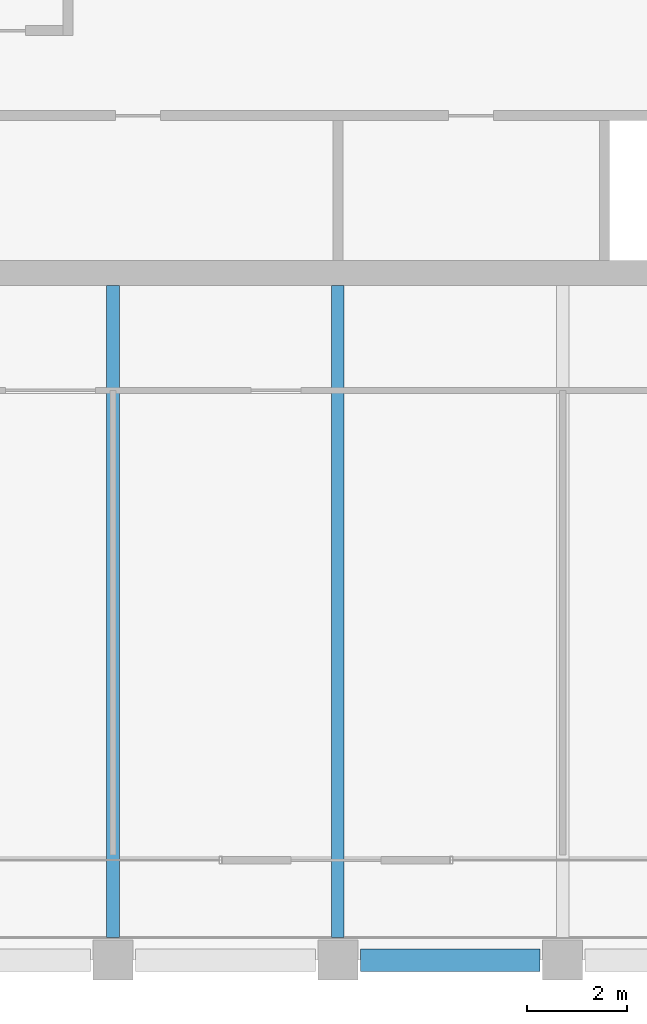
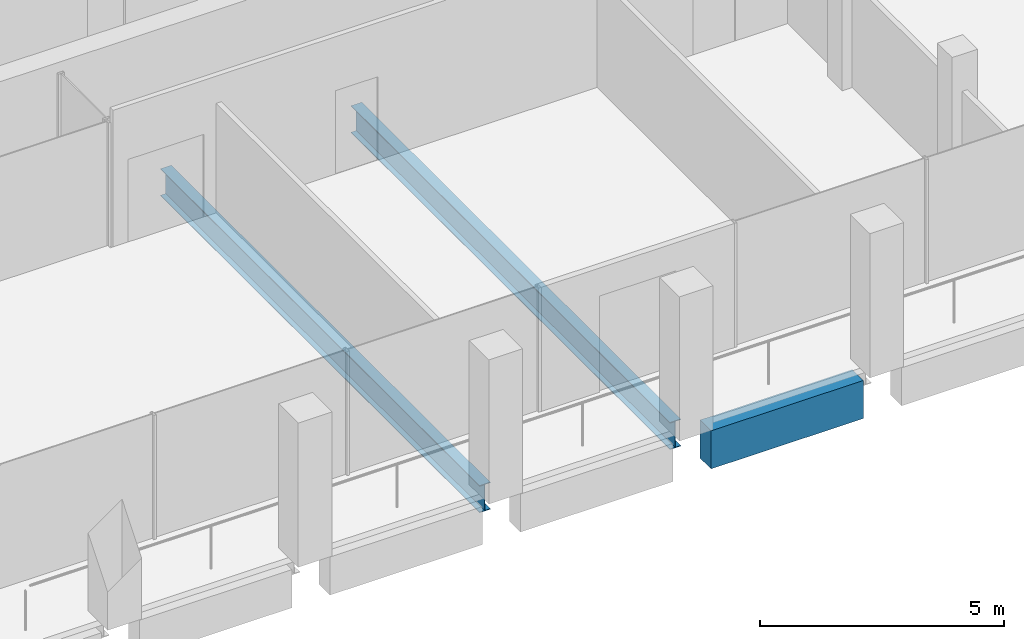
# One storey, part 8 of 40: 3 beams.
"""IFC4 building model written with IfcOpenShell, lengths in metres."""

from ifc_helpers import new_model, si_unit, direction, frame, origin, origin_2d, place, context, subcontext, project, spatial, rectangle, i_section, extrude, material, material_profile, profile_set, type_object, element, save


model = new_model("IFC4")

# Units and contexts
model_context = context("Model", 3, precision=1e-05, world=origin(), true_north=direction((0.0, 1.0)))
body_context = subcontext(model_context, "Body", "Model", "MODEL_VIEW")
ifc_project = project(units=[si_unit("LENGTHUNIT", "METRE"), si_unit("AREAUNIT", "SQUARE_METRE"), si_unit("VOLUMEUNIT", "CUBIC_METRE"), si_unit("PLANEANGLEUNIT", "RADIAN"), si_unit("MASSUNIT", "GRAM", prefix="KILO")], contexts=[model_context])

# Site, building, storey
site_placement = place(None, origin())
site = spatial("IfcSite", under=ifc_project, at=site_placement, CompositionType="ELEMENT")
building_placement = place(site_placement, origin())
building = spatial("IfcBuilding", under=site, at=building_placement, Name="Altepetl Exchange Towers", CompositionType="ELEMENT")
storey_placement = place(building_placement, frame((0.0, 0.0, 195.60009765625)))
storey = spatial("IfcBuildingStorey", under=building, at=storey_placement, Name="L49", CompositionType="ELEMENT", Elevation=195.60009765625)

# Beams
ifc_material_1 = material(Name="Steel S355", Category="steel")
ifc_material_profile_1 = material_profile(ifc_material_1, i_section(OverallWidth=0.2529296875, OverallDepth=0.677978515625, WebThickness=0.01171875, FlangeThickness=0.016357421875, at=origin_2d()), Name="W27X84")
ifc_profile_set_1 = profile_set([ifc_material_profile_1], Name="Steel S355")
beam_type_1 = type_object("IfcBeamType", Name="Floor beam W27X84", PredefinedType="BEAM", material=ifc_profile_set_1)
for number, where, z_axis, x_axis, name in (
    (1, (45.0, 27.449951171875, -0.489013671875), (0.0, 1.0, 0.0), (-1.0, 0.0, 0.0), "bm:A:L49:015"),
    (2, (49.5, 27.449951171875, -0.489013671875), (0.0, 1.0, 0.0), (-1.0, 0.0, 0.0), "bm:A:L49:016"),
):
    element("IfcBeam", number, at=place(storey_placement, frame(where, z_axis=z_axis, x_axis=x_axis)), inside=storey, type_object=beam_type_1, Name=name, PredefinedType="BEAM", context=body_context, shape_type="SweptSolid", body=[
        extrude(i_section(OverallWidth=0.2529296875, OverallDepth=0.677978515625, WebThickness=0.01171875, FlangeThickness=0.016357421875, at=origin_2d()), origin(), (0.0, 0.0, 1.0), 13.050048828125),
    ])
ifc_material_2 = material(Name="Concrete C50/60 precast with cantera blanca facing", Category="concrete")
ifc_material_profile_2 = material_profile(ifc_material_2, rectangle(XDim=0.449951171875, YDim=0.949951171875, at=origin_2d()), Name="450 x 950")
ifc_profile_set_2 = profile_set([ifc_material_profile_2], Name="Concrete C50/60 precast with cantera blanca facing")
beam_type_2 = type_object("IfcBeamType", Name="Spandrel beam 450x950 cantera blanca", PredefinedType="SPANDREL", material=ifc_profile_set_2)
beam_placement = place(storey_placement, frame((49.949951171875, 27.0, -0.625), z_axis=(1.0, 0.0, 0.0), x_axis=(0.0, 1.0, 0.0)))
element("IfcBeam", 3, at=beam_placement, inside=storey, type_object=beam_type_2, Name="sp:A:L49:004", PredefinedType="SPANDREL", context=body_context, shape_type="SweptSolid", body=[
    extrude(rectangle(XDim=0.449951171875, YDim=0.949951171875, at=origin_2d()), origin(), (0.0, 0.0, 1.0), 3.60009765625),
])

save(model, "model.ifc")
